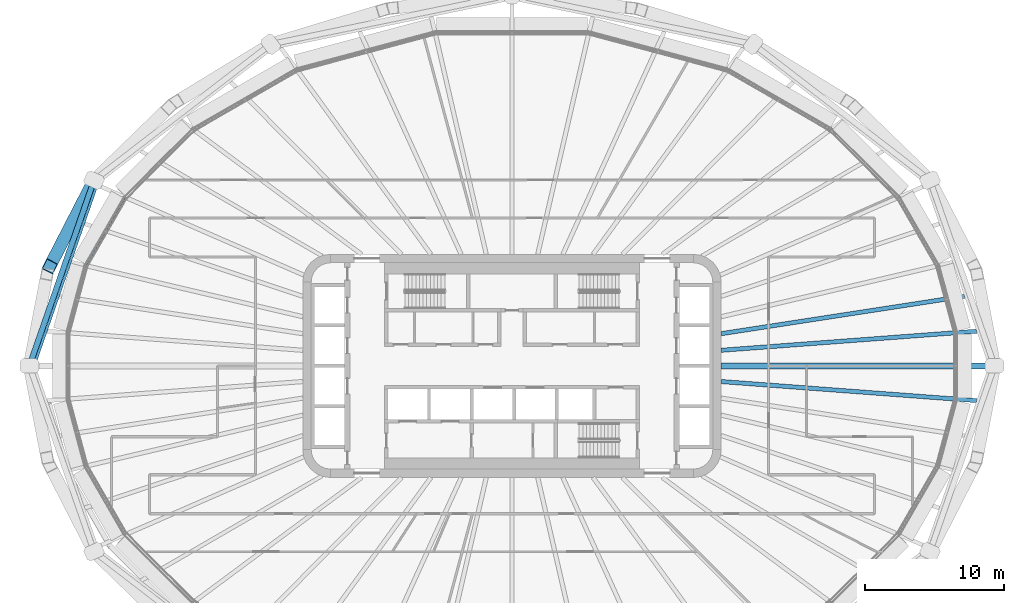
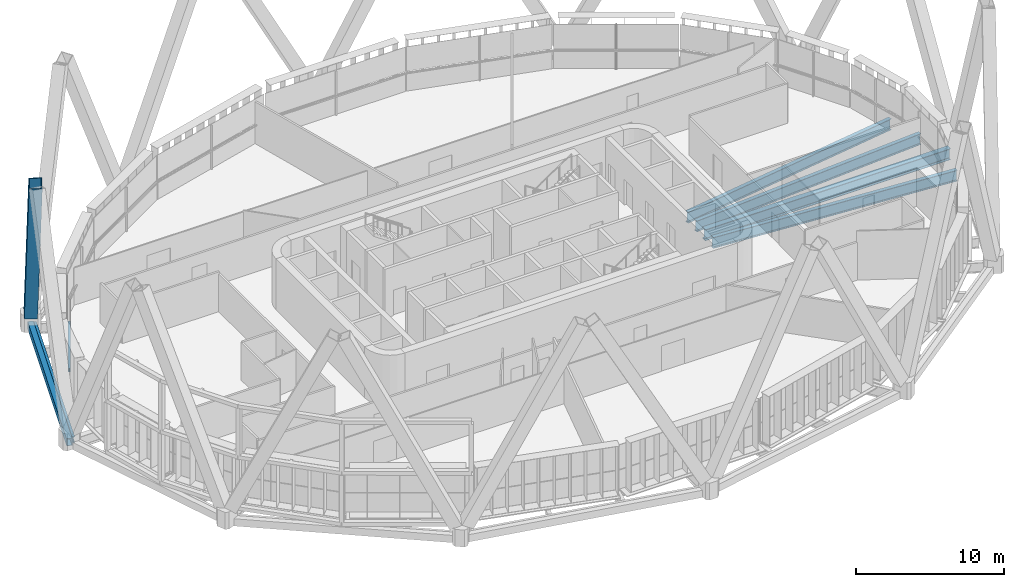
# One storey, part 6 of 25: 7 beams, 1 member.
"""IFC4 building model written with IfcOpenShell, lengths in metres."""

from ifc_helpers import new_model, si_unit, direction, frame, origin, origin_2d, place, context, subcontext, project, spatial, hollow_rectangle, i_section, extrude, material, material_profile, profile_set, type_object, element, save


model = new_model("IFC4")

# Units and contexts
model_context = context("Model", 3, precision=1e-05, world=origin(), true_north=direction((0.0, 1.0)))
body_context = subcontext(model_context, "Body", "Model", "MODEL_VIEW")
ifc_project = project(units=[si_unit("LENGTHUNIT", "METRE"), si_unit("AREAUNIT", "SQUARE_METRE"), si_unit("VOLUMEUNIT", "CUBIC_METRE"), si_unit("PLANEANGLEUNIT", "RADIAN"), si_unit("MASSUNIT", "GRAM", prefix="KILO")], contexts=[model_context])

# Site, building, storey
site_placement = place(None, origin())
site = spatial("IfcSite", under=ifc_project, at=site_placement, CompositionType="ELEMENT")
building_placement = place(site_placement, origin())
building = spatial("IfcBuilding", under=site, at=building_placement, Name="Sahrelin Media Tower", CompositionType="ELEMENT")
storey_placement = place(building_placement, frame((0.0, 0.0, 114.60009765625)))
storey = spatial("IfcBuildingStorey", under=building, at=storey_placement, Name="L22", CompositionType="ELEMENT", Elevation=114.60009765625)

# Member
ifc_material_1 = material(Name="Steel S460", Category="steel")
ifc_material_profile_1 = material_profile(ifc_material_1, hollow_rectangle(XDim=0.89990234375, YDim=0.89990234375, WallThickness=0.050048828125, at=origin_2d()), Name="Diagrid diagonal DG3")
ifc_profile_set_1 = profile_set([ifc_material_profile_1], Name="Steel S460")
member_type = type_object("IfcMemberType", Name="Diagrid diagonal DG3", PredefinedType="BRACE", material=ifc_profile_set_1)
member_placement = place(storey_placement, frame((-30.09765625, 13.044921875, 0.699951171875), z_axis=(-0.181150046841, -0.352548323524, 0.91809277315), x_axis=(0.889452455088, -0.457027712659, 0.0)))
element("IfcMember", 1, at=member_placement, inside=storey, type_object=member_type, Name="Diagrid diagonal D04-10", PredefinedType="BRACE", context=body_context, shape_type="SweptSolid", body=[
    extrude(hollow_rectangle(XDim=0.89990234375, YDim=0.89990234375, WallThickness=0.050048828125, at=origin_2d()), origin(), (0.0, 0.0, 1.0), 16.773681640625),
])

# Beams
ifc_material_profile_2 = material_profile(ifc_material_1, hollow_rectangle(XDim=0.39990234375, YDim=0.60009765625, WallThickness=0.030029296875, at=origin_2d()), Name="Diagrid ring beam RB1")
ifc_profile_set_2 = profile_set([ifc_material_profile_2], Name="Steel S460")
beam_type_1 = type_object("IfcBeamType", Name="Diagrid ring beam RB1", PredefinedType="BEAM", material=ifc_profile_set_2)
beam_1_placement = place(storey_placement, frame((-29.95947265625, 13.313720703125, -0.4501953125), z_axis=(-0.328767798917, -0.944410786891, 0.0), x_axis=(0.944410786891, -0.328767798917, 0.0)))
element("IfcBeam", 2, at=beam_1_placement, inside=storey, type_object=beam_type_1, Name="Diagrid ring beam RB04-05", PredefinedType="BEAM", context=body_context, shape_type="SweptSolid", body=[
    extrude(hollow_rectangle(XDim=0.39990234375, YDim=0.60009765625, WallThickness=0.030029296875, at=origin_2d()), origin(), (0.0, 0.0, 1.0), 14.097412109375),
])
ifc_material_2 = material(Name="Steel S355", Category="steel")
ifc_material_profile_3 = material_profile(ifc_material_2, i_section(OverallWidth=0.1650390625, OverallDepth=0.303466796875, WebThickness=0.006103515625, FlangeThickness=0.01025390625, FilletRadius=0.0087890625, at=origin_2d()), Name="UB 305x165x40")
ifc_profile_set_3 = profile_set([ifc_material_profile_3], Name="Steel S355")
beam_type_2 = type_object("IfcBeamType", Name="Edge beam EB2", PredefinedType="BEAM", material=ifc_profile_set_3)
beam_2_placement = place(storey_placement, frame((-30.4775390625, 7.158203125, -0.3017578125), z_axis=(0.499997576928, 0.866026802741, 0.0), x_axis=(-0.866026802741, 0.499997576928, 0.0)))
element("IfcBeam", 3, at=beam_2_placement, inside=storey, type_object=beam_type_2, Name="Edge beam L22-15", PredefinedType="BEAM", context=body_context, shape_type="SweptSolid", body=[
    extrude(i_section(OverallWidth=0.1650390625, OverallDepth=0.303466796875, WebThickness=0.006103515625, FlangeThickness=0.01025390625, FilletRadius=0.0087890625, at=origin_2d()), origin(), (0.0, 0.0, 1.0), 5.607421875),
])
ifc_material_profile_4 = material_profile(ifc_material_2, i_section(OverallWidth=0.30322265625, OverallDepth=0.903076171875, WebThickness=0.01513671875, FlangeThickness=0.020263671875, FilletRadius=0.01904296875, at=origin_2d()), Name="UB 914x305x201")
ifc_profile_set_4 = profile_set([ifc_material_profile_4], Name="Steel S355")
beam_type_3 = type_object("IfcBeamType", Name="Radial primary beam PB11", PredefinedType="BEAM", material=ifc_profile_set_4)
for number, where, z_axis, x_axis, name in (
    (4, (15.0, 1.120849609375, -0.6015625), (0.997219652732, 0.074518213909, 0.0), (-0.074518213909, 0.997219652732, 0.0), "Radial beam L22-01"),
    (5, (15.0, -1.120849609375, -0.6015625), (0.997219652732, -0.074518213909, 0.0), (0.074518213909, 0.997219652732, 0.0), "Radial beam L22-24"),
):
    element("IfcBeam", number, at=place(storey_placement, frame(where, z_axis=z_axis, x_axis=x_axis)), inside=storey, type_object=beam_type_3, Name=name, PredefinedType="BEAM", context=body_context, shape_type="SweptSolid", body=[
        extrude(i_section(OverallWidth=0.30322265625, OverallDepth=0.903076171875, WebThickness=0.01513671875, FlangeThickness=0.020263671875, FilletRadius=0.01904296875, at=origin_2d()), origin(), (0.0, 0.0, 1.0), 18.360107421875),
    ])
ifc_material_profile_5 = material_profile(ifc_material_2, i_section(OverallWidth=0.30322265625, OverallDepth=0.903076171875, WebThickness=0.01513671875, FlangeThickness=0.020263671875, FilletRadius=0.01904296875, at=origin_2d()), Name="UB 914x305x201")
ifc_profile_set_5 = profile_set([ifc_material_profile_5], Name="Steel S355")
beam_type_4 = type_object("IfcBeamType", Name="Radial secondary beam SB11", PredefinedType="BEAM", material=ifc_profile_set_5)
beam_3_placement = place(storey_placement, frame((15.0, 2.31005859375, -0.6015625), z_axis=(0.988348168319, 0.152210046252, 0.0), x_axis=(-0.152210046252, 0.988348168319, 0.0)))
element("IfcBeam", 6, at=beam_3_placement, inside=storey, type_object=beam_type_4, Name="Secondary beam L22-01", PredefinedType="BEAM", context=body_context, shape_type="SweptSolid", body=[
    extrude(i_section(OverallWidth=0.30322265625, OverallDepth=0.903076171875, WebThickness=0.01513671875, FlangeThickness=0.020263671875, FilletRadius=0.01904296875, at=origin_2d()), origin(), (0.0, 0.0, 1.0), 17.64208984375),
])
ifc_material_profile_6 = material_profile(ifc_material_2, i_section(OverallWidth=0.41845703125, OverallDepth=0.911865234375, WebThickness=0.019287109375, FlangeThickness=0.031982421875, FilletRadius=0.024169921875, at=origin_2d()), Name="UB 914x419x343")
ifc_profile_set_6 = profile_set([ifc_material_profile_6], Name="Steel S355")
beam_type_5 = type_object("IfcBeamType", Name="Radial secondary beam SB12", PredefinedType="BEAM", material=ifc_profile_set_6)
beam_4_placement = place(storey_placement, frame((15.0, 0.0, -0.60595703125), z_axis=(1.0, 0.0, 0.0), x_axis=(0.0, 1.0, 0.0)))
element("IfcBeam", 7, at=beam_4_placement, inside=storey, type_object=beam_type_5, Name="Secondary beam L22-24", PredefinedType="BEAM", context=body_context, shape_type="SweptSolid", body=[
    extrude(i_section(OverallWidth=0.41845703125, OverallDepth=0.911865234375, WebThickness=0.019287109375, FlangeThickness=0.031982421875, FilletRadius=0.024169921875, at=origin_2d()), origin(), (0.0, 0.0, 1.0), 19.175537109375),
])
ifc_material_profile_7 = material_profile(ifc_material_2, i_section(OverallWidth=0.1904296875, OverallDepth=0.45703125, WebThickness=0.009033203125, FlangeThickness=0.014404296875, FilletRadius=0.01025390625, at=origin_2d()), Name="UB 457x191x74")
ifc_profile_set_7 = profile_set([ifc_material_profile_7], Name="Steel S355")
beam_type_6 = type_object("IfcBeamType", Name="Tie chord TC5", PredefinedType="BEAM", material=ifc_profile_set_7)
beam_5_placement = place(storey_placement, frame((-34.2763671875, 0.0, -0.378662109375), z_axis=(0.328774654674, 0.94440840024, 0.0), x_axis=(-0.94440840024, 0.328774654674, 0.0)))
element("IfcBeam", 8, at=beam_5_placement, inside=storey, type_object=beam_type_6, Name="Tie chord L22-07", PredefinedType="BEAM", context=body_context, shape_type="SweptSolid", body=[
    extrude(i_section(OverallWidth=0.1904296875, OverallDepth=0.45703125, WebThickness=0.009033203125, FlangeThickness=0.014404296875, FilletRadius=0.01025390625, at=origin_2d()), origin(), (0.0, 0.0, 1.0), 13.9033203125),
])

save(model, "model.ifc")
